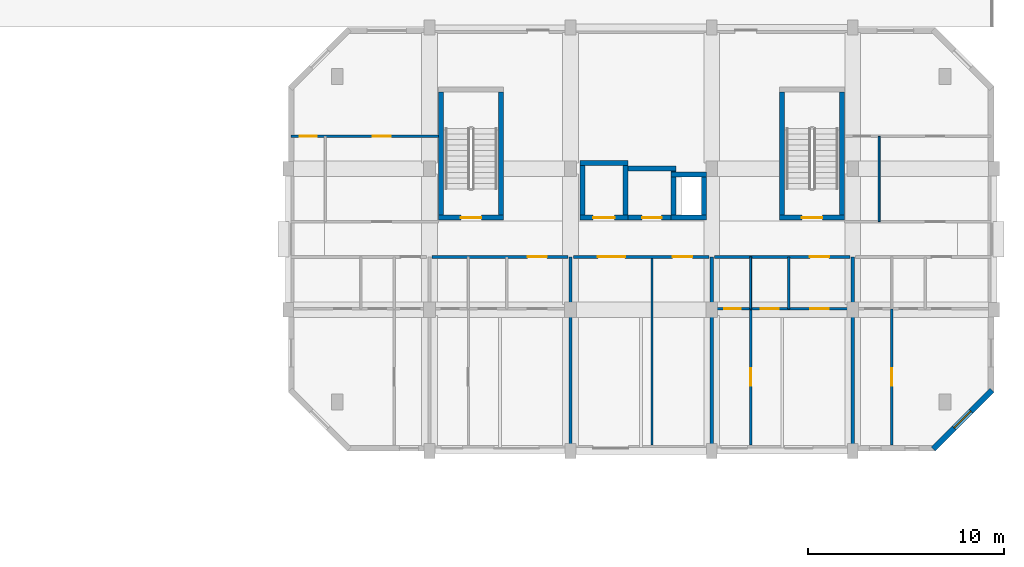
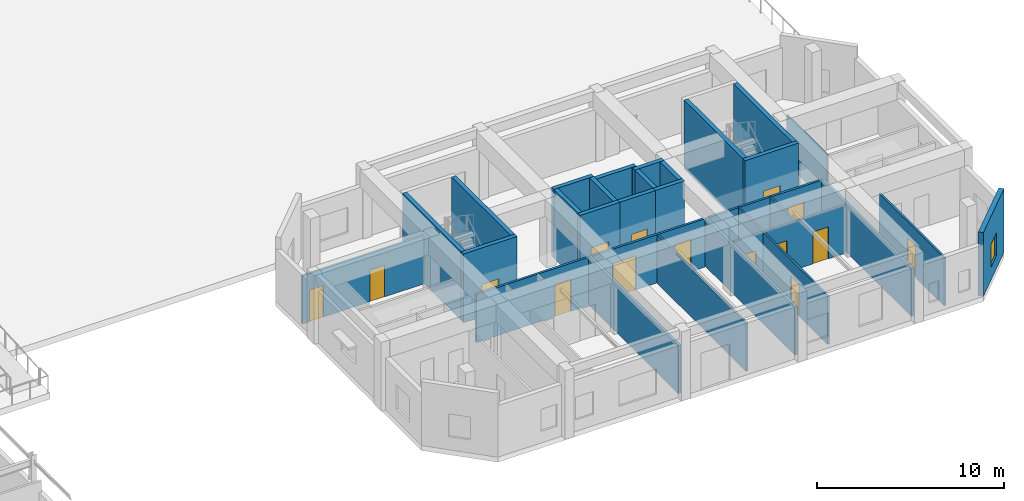
# One storey, part 66 of 85: 31 walls, 15 doors, 1 window, 16 openings.
"""IFC4 building model written with IfcOpenShell, lengths in metres."""

from ifc_helpers import new_model, si_unit, direction, frame, frame_2d, origin, place, context, subcontext, project, spatial, rectangle, extrude, material, layer, layer_set, type_object, element, fill, save


model = new_model("IFC4")

# Units and contexts
model_context = context("Model", 3, precision=1e-05, world=origin(), true_north=direction((0.0, 1.0)))
body_context = subcontext(model_context, "Body", "Model", "MODEL_VIEW")
ifc_project = project(units=[si_unit("LENGTHUNIT", "METRE"), si_unit("AREAUNIT", "SQUARE_METRE"), si_unit("VOLUMEUNIT", "CUBIC_METRE"), si_unit("PLANEANGLEUNIT", "RADIAN"), si_unit("MASSUNIT", "GRAM", prefix="KILO")], contexts=[model_context])

# Site, building, storey
site_placement = place(None, origin())
site = spatial("IfcSite", under=ifc_project, at=site_placement, CompositionType="ELEMENT")
building_placement = place(site_placement, origin())
building = spatial("IfcBuilding", under=site, at=building_placement, Name="Ochrevale Crest", CompositionType="ELEMENT")
storey_placement = place(building_placement, origin())
storey = spatial("IfcBuildingStorey", under=building, at=storey_placement, Name="L00", CompositionType="ELEMENT", Elevation=0.0)

# Wall, opening, door
ifc_material_1 = material(Name="Gypsum plasterboard", Category="gypsum")
ifc_layer_1 = layer(ifc_material_1, 0.139892578125)
ifc_layer_set_1 = layer_set([ifc_layer_1], Name="Gypsum plasterboard")
wall_type_1 = type_object("IfcWallType", Name="WL-COR-140", PredefinedType="PARTITIONING", material=ifc_layer_set_1)
wall_1_placement = place(storey_placement, frame((136.93994140625, 24.300048828125, 0.0), z_axis=(0.0, 0.0, 1.0), x_axis=(1.0, 0.0, 0.0)))
wall_1 = element("IfcWall", 1, at=wall_1_placement, inside=storey, type_object=wall_type_1, Name="Apartment C-L00-U2 corridor wall", PredefinedType="PARTITIONING", context=body_context, shape_type="SweptSolid", body=[
    extrude(rectangle(XDim=6.920166015625, YDim=0.139892578125, at=frame_2d((3.4599609375, 0.0))), origin(), (0.0, 0.0, 1.0), 3.14990234375),
])
opening_1_placement = place(wall_1_placement, frame((4.8701171875, 0.0, 0.0)))
opening_1 = element("IfcOpeningElement", 2, at=opening_1_placement, cuts=wall_1, Name="Opening FD01", PredefinedType="OPENING", context=body_context, shape_type="SweptSolid", body=[
    extrude(rectangle(XDim=0.97998046875, YDim=2.10009765625, at=frame_2d((0.489990234375, 1.050048828125))), frame((0.0, 0.080078125, 0.0), z_axis=(0.0, -1.0, 0.0), x_axis=(1.0, 0.0, 0.0)), (0.0, 0.0, 1.0), 0.159912109375),
])
ifc_material_2 = material(Name="Solid-core FSC hardwood", Category="wood")
door_type_1 = type_object("IfcDoorType", Name="DR-APT-950", OperationType="NOTDEFINED", PredefinedType="DOOR", material=ifc_material_2)
door_1_placement = place(opening_1_placement, origin())
door_1 = element("IfcDoor", 3, at=door_1_placement, inside=storey, type_object=door_type_1, Name="Apartment C-L00-U2 entrance door", OperationType="SINGLE_SWING_LEFT", OverallHeight=2.10009765625, OverallWidth=0.97998046875, PredefinedType="DOOR", context=body_context, shape_type="SweptSolid", body=[
    extrude(rectangle(XDim=0.97998046875, YDim=2.10009765625, at=frame_2d((0.489990234375, 1.050048828125))), frame((0.0, 0.02490234375, 0.0), z_axis=(0.0, -1.0, 0.0), x_axis=(1.0, 0.0, 0.0)), (0.0, 0.0, 1.0), 0.050048828125),
])
fill(opening_1, door_1)

# Wall, openings, doors
wall_2_placement = place(storey_placement, frame((144.139892578125, 24.300048828125, 0.0), z_axis=(0.0, 0.0, 1.0), x_axis=(1.0, 0.0, 0.0)))
wall_2 = element("IfcWall", 4, at=wall_2_placement, inside=storey, type_object=wall_type_1, Name="Block C ground lobby corridor wall", PredefinedType="PARTITIONING", context=body_context, shape_type="SweptSolid", body=[
    extrude(rectangle(XDim=6.920166015625, YDim=0.139892578125, at=frame_2d((3.4599609375, 0.0))), origin(), (0.0, 0.0, 1.0), 3.14990234375),
])
opening_2_placement = place(wall_2_placement, frame((1.25, 0.0, 0.0)))
opening_2 = element("IfcOpeningElement", 5, at=opening_2_placement, cuts=wall_2, Name="Opening ID10", PredefinedType="OPENING", context=body_context, shape_type="SweptSolid", body=[
    extrude(rectangle(XDim=1.39990234375, YDim=2.219970703125, at=frame_2d((0.699951171875, 1.10986328125))), frame((0.0, 0.080078125, 0.0), z_axis=(0.0, -1.0, 0.0), x_axis=(1.0, 0.0, 0.0)), (0.0, 0.0, 1.0), 0.159912109375),
])
opening_3_placement = place(wall_2_placement, frame((6.070068359375, 0.0, 0.0), z_axis=(0.0, 0.0, 1.0), x_axis=(-1.0, 0.0, 0.0)))
opening_3 = element("IfcOpeningElement", 6, at=opening_3_placement, cuts=wall_2, Name="Opening ID07", PredefinedType="OPENING", context=body_context, shape_type="SweptSolid", body=[
    extrude(rectangle(XDim=1.0, YDim=2.1201171875, at=frame_2d((0.5, 1.06005859375))), frame((0.0, 0.080078125, 0.0), z_axis=(0.0, -1.0, 0.0), x_axis=(1.0, 0.0, 0.0)), (0.0, 0.0, 1.0), 0.159912109375),
])
door_type_2 = type_object("IfcDoorType", Name="DR-INT-1000", OperationType="NOTDEFINED", PredefinedType="DOOR", material=ifc_material_2)
door_2_placement = place(opening_3_placement, origin())
door_2 = element("IfcDoor", 7, at=door_2_placement, inside=storey, type_object=door_type_2, Name="Block C mail room door", OperationType="SINGLE_SWING_RIGHT", OverallHeight=2.1201171875, OverallWidth=1.0, PredefinedType="DOOR", context=body_context, shape_type="SweptSolid", body=[
    extrude(rectangle(XDim=1.0, YDim=2.1201171875, at=frame_2d((0.5, 1.06005859375))), frame((0.0, 0.02490234375, 0.0), z_axis=(0.0, -1.0, 0.0), x_axis=(1.0, 0.0, 0.0)), (0.0, 0.0, 1.0), 0.050048828125),
])
fill(opening_3, door_2)
door_type_3 = type_object("IfcDoorType", Name="DR-INT-1400", OperationType="NOTDEFINED", PredefinedType="DOOR", material=ifc_material_2)
door_3_placement = place(opening_2_placement, origin())
door_3 = element("IfcDoor", 8, at=door_3_placement, inside=storey, type_object=door_type_3, Name="Block C entrance lobby inner door", OperationType="DOUBLE_DOOR_SINGLE_SWING", OverallHeight=2.219970703125, OverallWidth=1.39990234375, PredefinedType="DOOR", context=body_context, shape_type="SweptSolid", body=[
    extrude(rectangle(XDim=1.39990234375, YDim=2.219970703125, at=frame_2d((0.699951171875, 1.10986328125))), frame((0.0, 0.02490234375, 0.0), z_axis=(0.0, -1.0, 0.0), x_axis=(1.0, 0.0, 0.0)), (0.0, 0.0, 1.0), 0.050048828125),
])
fill(opening_2, door_3)

# Wall, opening, door
wall_3_placement = place(storey_placement, frame((151.340087890625, 24.300048828125, 0.0), z_axis=(0.0, 0.0, 1.0), x_axis=(1.0, 0.0, 0.0)))
wall_3 = element("IfcWall", 9, at=wall_3_placement, inside=storey, type_object=wall_type_1, Name="Apartment C-L00-U4 corridor wall", PredefinedType="PARTITIONING", context=body_context, shape_type="SweptSolid", body=[
    extrude(rectangle(XDim=6.919921875, YDim=0.139892578125, at=frame_2d((3.4599609375, 0.0))), origin(), (0.0, 0.0, 1.0), 3.14990234375),
])
opening_4_placement = place(wall_3_placement, frame((4.8701171875, 0.0, 0.0)))
opening_4 = element("IfcOpeningElement", 10, at=opening_4_placement, cuts=wall_3, Name="Opening FD01", PredefinedType="OPENING", context=body_context, shape_type="SweptSolid", body=[
    extrude(rectangle(XDim=0.97998046875, YDim=2.10009765625, at=frame_2d((0.489990234375, 1.050048828125))), frame((0.0, 0.080078125, 0.0), z_axis=(0.0, -1.0, 0.0), x_axis=(1.0, 0.0, 0.0)), (0.0, 0.0, 1.0), 0.159912109375),
])
door_4_placement = place(opening_4_placement, origin())
door_4 = element("IfcDoor", 11, at=door_4_placement, inside=storey, type_object=door_type_1, Name="Apartment C-L00-U4 entrance door", OperationType="SINGLE_SWING_LEFT", OverallHeight=2.10009765625, OverallWidth=0.97998046875, PredefinedType="DOOR", context=body_context, shape_type="SweptSolid", body=[
    extrude(rectangle(XDim=0.97998046875, YDim=2.10009765625, at=frame_2d((0.489990234375, 1.050048828125))), frame((0.0, 0.02490234375, 0.0), z_axis=(0.0, -1.0, 0.0), x_axis=(1.0, 0.0, 0.0)), (0.0, 0.0, 1.0), 0.050048828125),
])
fill(opening_4, door_4)

ifc_material_3 = material(Name="Precast concrete C50/60", Category="concrete")
ifc_layer_2 = layer(ifc_material_3, 0.2548828125)
ifc_layer_set_2 = layer_set([ifc_layer_2], Name="Precast concrete C50/60")
wall_type_2 = type_object("IfcWallType", Name="WL-CORE-255", PredefinedType="SHEAR", material=ifc_layer_set_2)
wall_4_placement = place(storey_placement, frame((137.2724609375, 26.300048828125, 0.0), z_axis=(0.0, 0.0, 1.0), x_axis=(1.0, 0.0, 0.0)))
wall_4 = element("IfcWall", 12, at=wall_4_placement, inside=storey, type_object=wall_type_2, Name="Block C L00 Stair 1 precast core shear wall S", PredefinedType="SHEAR", context=body_context, shape_type="SweptSolid", body=[
    extrude(rectangle(XDim=3.304931640625, YDim=0.2548828125, at=frame_2d((1.65234375, 0.0))), origin(), (0.0, 0.0, 1.0), 4.5),
])
opening_5_placement = place(wall_4_placement, frame((2.177490234375, 0.0, 0.0), z_axis=(0.0, 0.0, 1.0), x_axis=(-1.0, 0.0, 0.0)))
opening_5 = element("IfcOpeningElement", 13, at=opening_5_placement, cuts=wall_4, Name="Opening FD03", PredefinedType="OPENING", context=body_context, shape_type="SweptSolid", body=[
    extrude(rectangle(XDim=1.050048828125, YDim=2.1201171875, at=frame_2d((0.52490234375, 1.06005859375))), frame((0.0, 0.137451171875, 0.0), z_axis=(0.0, -1.0, 0.0), x_axis=(1.0, 0.0, 0.0)), (0.0, 0.0, 1.0), 0.27490234375),
])
door_type_4 = type_object("IfcDoorType", Name="DR-ST-1050", OperationType="NOTDEFINED", PredefinedType="DOOR", material=ifc_material_2)
door_5_placement = place(opening_5_placement, origin())
door_5 = element("IfcDoor", 14, at=door_5_placement, inside=storey, type_object=door_type_4, Name="Block C L00 fire stair 1 door", OperationType="SINGLE_SWING_RIGHT", OverallHeight=2.1201171875, OverallWidth=1.050048828125, PredefinedType="DOOR", context=body_context, shape_type="SweptSolid", body=[
    extrude(rectangle(XDim=1.050048828125, YDim=2.1201171875, at=frame_2d((0.52490234375, 1.06005859375))), frame((0.0, 0.02490234375, 0.0), z_axis=(0.0, -1.0, 0.0), x_axis=(1.0, 0.0, 0.0)), (0.0, 0.0, 1.0), 0.050048828125),
])
fill(opening_5, door_5)

# Walls
for number, where, z_axis, x_axis, name in (
    (15, (137.39990234375, 26.427490234375, 0.0), (0.0, 0.0, 1.0), (0.0, 1.0, 0.0), "Block C L00 Stair 1 precast core shear wall W"),
    (16, (140.449951171875, 26.427490234375, 0.0), (0.0, 0.0, 1.0), (0.0, 1.0, 0.0), "Block C L00 Stair 1 precast core shear wall E"),
):
    element("IfcWall", number, at=place(storey_placement, frame(where, z_axis=z_axis, x_axis=x_axis)), inside=storey, type_object=wall_type_2, Name=name, PredefinedType="SHEAR", context=body_context, shape_type="SweptSolid", body=[
        extrude(rectangle(XDim=6.294921875, YDim=0.2548828125, at=frame_2d((3.1474609375, 0.0))), origin(), (0.0, 0.0, 1.0), 4.5),
    ])

# Wall, opening, door
wall_5_placement = place(storey_placement, frame((154.672607421875, 26.300048828125, 0.0), z_axis=(0.0, 0.0, 1.0), x_axis=(1.0, 0.0, 0.0)))
wall_5 = element("IfcWall", 17, at=wall_5_placement, inside=storey, type_object=wall_type_2, Name="Block C L00 Stair 2 precast core shear wall S", PredefinedType="SHEAR", context=body_context, shape_type="SweptSolid", body=[
    extrude(rectangle(XDim=3.304931640625, YDim=0.2548828125, at=frame_2d((1.65234375, 0.0))), origin(), (0.0, 0.0, 1.0), 4.5),
])
opening_6_placement = place(wall_5_placement, frame((1.12744140625, 0.0, 0.0)))
opening_6 = element("IfcOpeningElement", 18, at=opening_6_placement, cuts=wall_5, Name="Opening FD03", PredefinedType="OPENING", context=body_context, shape_type="SweptSolid", body=[
    extrude(rectangle(XDim=1.050048828125, YDim=2.1201171875, at=frame_2d((0.52490234375, 1.06005859375))), frame((0.0, 0.137451171875, 0.0), z_axis=(0.0, -1.0, 0.0), x_axis=(1.0, 0.0, 0.0)), (0.0, 0.0, 1.0), 0.27490234375),
])
door_6_placement = place(opening_6_placement, origin())
door_6 = element("IfcDoor", 19, at=door_6_placement, inside=storey, type_object=door_type_4, Name="Block C L00 fire stair 2 door", OperationType="SINGLE_SWING_LEFT", OverallHeight=2.1201171875, OverallWidth=1.050048828125, PredefinedType="DOOR", context=body_context, shape_type="SweptSolid", body=[
    extrude(rectangle(XDim=1.050048828125, YDim=2.1201171875, at=frame_2d((0.52490234375, 1.06005859375))), frame((0.0, 0.02490234375, 0.0), z_axis=(0.0, -1.0, 0.0), x_axis=(1.0, 0.0, 0.0)), (0.0, 0.0, 1.0), 0.050048828125),
])
fill(opening_6, door_6)

# Walls
for number, where, z_axis, x_axis, name in (
    (20, (154.800048828125, 26.427490234375, 0.0), (0.0, 0.0, 1.0), (0.0, 1.0, 0.0), "Block C L00 Stair 2 precast core shear wall W"),
    (21, (157.85009765625, 26.427490234375, 0.0), (0.0, 0.0, 1.0), (0.0, 1.0, 0.0), "Block C L00 Stair 2 precast core shear wall E"),
):
    element("IfcWall", number, at=place(storey_placement, frame(where, z_axis=z_axis, x_axis=x_axis)), inside=storey, type_object=wall_type_2, Name=name, PredefinedType="SHEAR", context=body_context, shape_type="SweptSolid", body=[
        extrude(rectangle(XDim=6.294921875, YDim=0.2548828125, at=frame_2d((3.1474609375, 0.0))), origin(), (0.0, 0.0, 1.0), 4.5),
    ])

# Wall, opening, door
wall_6_placement = place(storey_placement, frame((144.472412109375, 26.300048828125, 0.0), z_axis=(0.0, 0.0, 1.0), x_axis=(1.0, 0.0, 0.0)))
wall_6 = element("IfcWall", 22, at=wall_6_placement, inside=storey, type_object=wall_type_2, Name="Block C L00 Lift 1 precast shaft shear wall S", PredefinedType="SHEAR", context=body_context, shape_type="SweptSolid", body=[
    extrude(rectangle(XDim=2.455078125, YDim=0.2548828125, at=frame_2d((1.2275390625, 0.0))), origin(), (0.0, 0.0, 1.0), 4.5),
])
opening_7_placement = place(wall_6_placement, frame((0.677490234375, 0.0, 0.0)))
opening_7 = element("IfcOpeningElement", 23, at=opening_7_placement, cuts=wall_6, Name="Opening LD01", PredefinedType="OPENING", context=body_context, shape_type="SweptSolid", body=[
    extrude(rectangle(XDim=1.10009765625, YDim=2.14990234375, at=frame_2d((0.550048828125, 1.074951171875))), frame((0.0, 0.137451171875, 0.0), z_axis=(0.0, -1.0, 0.0), x_axis=(1.0, 0.0, 0.0)), (0.0, 0.0, 1.0), 0.27490234375),
])
door_type_5 = type_object("IfcDoorType", Name="DR-LIFT-1100", OperationType="NOTDEFINED", PredefinedType="DOOR", material=ifc_material_2)
door_7_placement = place(opening_7_placement, origin())
door_7 = element("IfcDoor", 24, at=door_7_placement, inside=storey, type_object=door_type_5, Name="Lift LF-C1 L00 sliding landing door", OperationType="SLIDING_TO_LEFT", OverallHeight=2.14990234375, OverallWidth=1.10009765625, PredefinedType="DOOR", context=body_context, shape_type="SweptSolid", body=[
    extrude(rectangle(XDim=1.10009765625, YDim=2.14990234375, at=frame_2d((0.550048828125, 1.074951171875))), frame((0.0, 0.02490234375, 0.0), z_axis=(0.0, -1.0, 0.0), x_axis=(1.0, 0.0, 0.0)), (0.0, 0.0, 1.0), 0.050048828125),
])
fill(opening_7, door_7)

# Walls
wall_7_placement = place(storey_placement, frame((144.472412109375, 29.10009765625, 0.0), z_axis=(0.0, 0.0, 1.0), x_axis=(1.0, 0.0, 0.0)))
element("IfcWall", 25, at=wall_7_placement, inside=storey, type_object=wall_type_2, Name="Block C L00 Lift 1 precast shaft shear wall N", PredefinedType="SHEAR", context=body_context, shape_type="SweptSolid", body=[
    extrude(rectangle(XDim=2.455078125, YDim=0.2548828125, at=frame_2d((1.2275390625, 0.0))), origin(), (0.0, 0.0, 1.0), 4.5),
])
for number, where, z_axis, x_axis, name in (
    (26, (144.60009765625, 26.427490234375, 0.0), (0.0, 0.0, 1.0), (0.0, 1.0, 0.0), "Block C L00 Lift 1 precast shaft shear wall W"),
    (27, (146.800048828125, 26.427490234375, 0.0), (0.0, 0.0, 1.0), (0.0, 1.0, 0.0), "Block C L00 Lift 1 precast shaft shear wall E"),
):
    element("IfcWall", number, at=place(storey_placement, frame(where, z_axis=z_axis, x_axis=x_axis)), inside=storey, type_object=wall_type_2, Name=name, PredefinedType="SHEAR", context=body_context, shape_type="SweptSolid", body=[
        extrude(rectangle(XDim=2.544921875, YDim=0.2548828125, at=frame_2d((1.2724609375, 0.0))), origin(), (0.0, 0.0, 1.0), 4.5),
    ])

# Wall, opening, door
wall_8_placement = place(storey_placement, frame((146.922607421875, 26.300048828125, 0.0), z_axis=(0.0, 0.0, 1.0), x_axis=(1.0, 0.0, 0.0)))
wall_8 = element("IfcWall", 28, at=wall_8_placement, inside=storey, type_object=wall_type_2, Name="Block C L00 Lift 2 precast shaft shear wall S", PredefinedType="SHEAR", context=body_context, shape_type="SweptSolid", body=[
    extrude(rectangle(XDim=2.454833984375, YDim=0.2548828125, at=frame_2d((1.2275390625, 0.0))), origin(), (0.0, 0.0, 1.0), 4.5),
])
opening_8_placement = place(wall_8_placement, frame((0.7275390625, 0.0, 0.0)))
opening_8 = element("IfcOpeningElement", 29, at=opening_8_placement, cuts=wall_8, Name="Opening LD02", PredefinedType="OPENING", context=body_context, shape_type="SweptSolid", body=[
    extrude(rectangle(XDim=1.0, YDim=2.14990234375, at=frame_2d((0.5, 1.074951171875))), frame((0.0, 0.137451171875, 0.0), z_axis=(0.0, -1.0, 0.0), x_axis=(1.0, 0.0, 0.0)), (0.0, 0.0, 1.0), 0.27490234375),
])
door_type_6 = type_object("IfcDoorType", Name="DR-LIFT-1000", OperationType="NOTDEFINED", PredefinedType="DOOR", material=ifc_material_2)
door_8_placement = place(opening_8_placement, origin())
door_8 = element("IfcDoor", 30, at=door_8_placement, inside=storey, type_object=door_type_6, Name="Lift LP-C2 L00 sliding landing door", OperationType="SLIDING_TO_RIGHT", OverallHeight=2.14990234375, OverallWidth=1.0, PredefinedType="DOOR", context=body_context, shape_type="SweptSolid", body=[
    extrude(rectangle(XDim=1.0, YDim=2.14990234375, at=frame_2d((0.5, 1.074951171875))), frame((0.0, 0.02490234375, 0.0), z_axis=(0.0, -1.0, 0.0), x_axis=(1.0, 0.0, 0.0)), (0.0, 0.0, 1.0), 0.050048828125),
])
fill(opening_8, door_8)

# Walls
wall_9_placement = place(storey_placement, frame((146.922607421875, 28.800048828125, 0.0), z_axis=(0.0, 0.0, 1.0), x_axis=(1.0, 0.0, 0.0)))
element("IfcWall", 31, at=wall_9_placement, inside=storey, type_object=wall_type_2, Name="Block C L00 Lift 2 precast shaft shear wall N", PredefinedType="SHEAR", context=body_context, shape_type="SweptSolid", body=[
    extrude(rectangle(XDim=2.454833984375, YDim=0.2548828125, at=frame_2d((1.2275390625, 0.0))), origin(), (0.0, 0.0, 1.0), 4.5),
])
wall_10_placement = place(storey_placement, frame((149.25, 26.427490234375, 0.0), z_axis=(0.0, 0.0, 1.0), x_axis=(0.0, 1.0, 0.0)))
element("IfcWall", 32, at=wall_10_placement, inside=storey, type_object=wall_type_2, Name="Block C L00 Lift 2 precast shaft shear wall E", PredefinedType="SHEAR", context=body_context, shape_type="SweptSolid", body=[
    extrude(rectangle(XDim=2.2451171875, YDim=0.2548828125, at=frame_2d((1.12255859375, 0.0))), origin(), (0.0, 0.0, 1.0), 4.5),
])
for number, where, z_axis, x_axis, name in (
    (33, (149.12255859375, 26.300048828125, 0.0), (0.0, 0.0, 1.0), (1.0, 0.0, 0.0), "Block C L00 services riser shaft core wall S"),
    (34, (149.12255859375, 28.5, 0.0), (0.0, 0.0, 1.0), (1.0, 0.0, 0.0), "Block C L00 services riser shaft core wall N"),
):
    element("IfcWall", number, at=place(storey_placement, frame(where, z_axis=z_axis, x_axis=x_axis)), inside=storey, type_object=wall_type_2, Name=name, PredefinedType="SHEAR", context=body_context, shape_type="SweptSolid", body=[
        extrude(rectangle(XDim=1.804931640625, YDim=0.2548828125, at=frame_2d((0.90234375, 0.0))), origin(), (0.0, 0.0, 1.0), 4.5),
    ])
wall_11_placement = place(storey_placement, frame((150.800048828125, 26.427490234375, 0.0), z_axis=(0.0, 0.0, 1.0), x_axis=(0.0, 1.0, 0.0)))
element("IfcWall", 35, at=wall_11_placement, inside=storey, type_object=wall_type_2, Name="Block C L00 services riser shaft core wall E", PredefinedType="SHEAR", context=body_context, shape_type="SweptSolid", body=[
    extrude(rectangle(XDim=1.945068359375, YDim=0.2548828125, at=frame_2d((0.97265625, 0.0))), origin(), (0.0, 0.0, 1.0), 4.5),
])

# Wall, opening, window
ifc_material_4 = material(Name="Clay face brickwork", Category="masonry")
ifc_layer_3 = layer(ifc_material_4, 0.2900390625)
ifc_layer_set_3 = layer_set([ifc_layer_3], Name="Clay face brickwork")
wall_type_3 = type_object("IfcWallType", Name="WL-EXT-BRICK-290", PredefinedType="SOLIDWALL", material=ifc_layer_set_3)
wall_12_placement = place(storey_placement, frame((162.49755859375, 14.50244140625, 0.0), z_axis=(0.0, 0.0, 1.0), x_axis=(0.707106781187, 0.707106781187, 0.0)))
wall_12 = element("IfcWall", 36, at=wall_12_placement, inside=storey, type_object=wall_type_3, Name="Block C L00 external facade wall E2", PredefinedType="SOLIDWALL", context=body_context, shape_type="SweptSolid", body=[
    extrude(rectangle(XDim=4.24267578125, YDim=0.2900390625, at=frame_2d((2.121337890625, 0.0))), origin(), (0.0, 0.0, 1.0), 4.175048828125),
])
opening_9_placement = place(wall_12_placement, frame((1.51123046875, 0.0, 0.85009765625)))
opening_9 = element("IfcOpeningElement", 37, at=opening_9_placement, cuts=wall_12, Name="Opening W06", PredefinedType="OPENING", context=body_context, shape_type="SweptSolid", body=[
    extrude(rectangle(XDim=1.219970703125, YDim=1.5, at=frame_2d((0.60986328125, 0.75))), frame((0.0, 0.155029296875, 0.0), z_axis=(0.0, -1.0, 0.0), x_axis=(1.0, 0.0, 0.0)), (0.0, 0.0, 1.0), 0.31005859375),
])
ifc_material_5 = material(Name="Anodised aluminium 6063-T5 and low-E double glazing", Category="aluminium")
window_type = type_object("IfcWindowType", Name="WIN-W06", PartitioningType="SINGLE_PANEL", PredefinedType="WINDOW", material=ifc_material_5)
window_placement = place(opening_9_placement, origin())
window = element("IfcWindow", 38, at=window_placement, inside=storey, type_object=window_type, Name="Block C L00 corner room casement window 2", OverallHeight=1.5, OverallWidth=1.219970703125, PartitioningType="SINGLE_PANEL", PredefinedType="WINDOW", context=body_context, shape_type="SweptSolid", body=[
    extrude(rectangle(XDim=1.219970703125, YDim=1.5, at=frame_2d((0.60986328125, 0.75))), frame((0.0, 0.030029296875, 0.0), z_axis=(0.0, -1.0, 0.0), x_axis=(1.0, 0.0, 0.0)), (0.0, 0.0, 1.0), 0.06005859375),
])
fill(opening_9, window)

# Walls
ifc_layer_4 = layer(ifc_material_1, 0.1201171875)
ifc_layer_set_4 = layer_set([ifc_layer_4], Name="Gypsum plasterboard")
wall_type_4 = type_object("IfcWallType", Name="WL-PART-120", PredefinedType="PARTITIONING", material=ifc_layer_set_4)
wall_13_placement = place(storey_placement, frame((148.153564453125, 14.699951171875, 0.0), z_axis=(0.0, 0.0, 1.0), x_axis=(0.0, 1.0, 0.0)))
element("IfcWall", 39, at=wall_13_placement, inside=storey, type_object=wall_type_4, Name="Block C lobby-mail divider", PredefinedType="PARTITIONING", context=body_context, shape_type="SweptSolid", body=[
    extrude(rectangle(XDim=9.60009765625, YDim=0.1201171875, at=frame_2d((4.800048828125, 0.0))), origin(), (0.0, 0.0, 1.0), 3.14990234375),
])
wall_14_placement = place(storey_placement, frame((155.139892578125, 21.64990234375, 0.0), z_axis=(0.0, 0.0, 1.0), x_axis=(0.0, 1.0, 0.0)))
element("IfcWall", 40, at=wall_14_placement, inside=storey, type_object=wall_type_4, Name="Apartment C-L00-U4 kitchen-foyer wall", PredefinedType="PARTITIONING", context=body_context, shape_type="SweptSolid", body=[
    extrude(rectangle(XDim=2.650146484375, YDim=0.1201171875, at=frame_2d((1.3251953125, 0.0))), origin(), (0.0, 0.0, 1.0), 3.14990234375),
])

# Wall, openings, doors
wall_15_placement = place(storey_placement, frame((151.340087890625, 21.64990234375, 0.0), z_axis=(0.0, 0.0, 1.0), x_axis=(1.0, 0.0, 0.0)))
wall_15 = element("IfcWall", 41, at=wall_15_placement, inside=storey, type_object=wall_type_4, Name="Apartment C-L00-U4 central partition", PredefinedType="PARTITIONING", context=body_context, shape_type="SweptSolid", body=[
    extrude(rectangle(XDim=6.919921875, YDim=0.1201171875, at=frame_2d((3.4599609375, 0.0))), origin(), (0.0, 0.0, 1.0), 3.14990234375),
])
opening_10_placement = place(wall_15_placement, frame((1.35009765625, 0.0, 0.0), z_axis=(0.0, 0.0, 1.0), x_axis=(-1.0, 0.0, 0.0)))
opening_10 = element("IfcOpeningElement", 42, at=opening_10_placement, cuts=wall_15, Name="Opening ID01", PredefinedType="OPENING", context=body_context, shape_type="SweptSolid", body=[
    extrude(rectangle(XDim=0.85009765625, YDim=2.080078125, at=frame_2d((0.425048828125, 1.0400390625))), frame((0.0, 0.070068359375, 0.0), z_axis=(0.0, -1.0, 0.0), x_axis=(1.0, 0.0, 0.0)), (0.0, 0.0, 1.0), 0.14013671875),
])
opening_11_placement = place(wall_15_placement, frame((2.375, 0.0, 0.0)))
opening_11 = element("IfcOpeningElement", 43, at=opening_11_placement, cuts=wall_15, Name="Opening ID02", PredefinedType="OPENING", context=body_context, shape_type="SweptSolid", body=[
    extrude(rectangle(XDim=0.89990234375, YDim=2.080078125, at=frame_2d((0.449951171875, 1.0400390625))), frame((0.0, 0.070068359375, 0.0), z_axis=(0.0, -1.0, 0.0), x_axis=(1.0, 0.0, 0.0)), (0.0, 0.0, 1.0), 0.14013671875),
])
opening_12_placement = place(wall_15_placement, frame((5.8349609375, 0.0, 0.0), z_axis=(0.0, 0.0, 1.0), x_axis=(-1.0, 0.0, 0.0)))
opening_12 = element("IfcOpeningElement", 44, at=opening_12_placement, cuts=wall_15, Name="Opening ID06", PredefinedType="OPENING", context=body_context, shape_type="SweptSolid", body=[
    extrude(rectangle(XDim=0.949951171875, YDim=2.080078125, at=frame_2d((0.47509765625, 1.0400390625))), frame((0.0, 0.070068359375, 0.0), z_axis=(0.0, -1.0, 0.0), x_axis=(1.0, 0.0, 0.0)), (0.0, 0.0, 1.0), 0.14013671875),
])
door_type_7 = type_object("IfcDoorType", Name="DR-INT-900", OperationType="NOTDEFINED", PredefinedType="DOOR", material=ifc_material_2)
door_9_placement = place(opening_11_placement, origin())
door_9 = element("IfcDoor", 45, at=door_9_placement, inside=storey, type_object=door_type_7, Name="Apartment C-L00-U4 Kitchen door", OperationType="SINGLE_SWING_LEFT", OverallHeight=2.080078125, OverallWidth=0.89990234375, PredefinedType="DOOR", context=body_context, shape_type="SweptSolid", body=[
    extrude(rectangle(XDim=0.89990234375, YDim=2.080078125, at=frame_2d((0.449951171875, 1.0400390625))), frame((0.0, 0.02490234375, 0.0), z_axis=(0.0, -1.0, 0.0), x_axis=(1.0, 0.0, 0.0)), (0.0, 0.0, 1.0), 0.050048828125),
])
fill(opening_11, door_9)
door_type_8 = type_object("IfcDoorType", Name="DR-INT-950", OperationType="NOTDEFINED", PredefinedType="DOOR", material=ifc_material_2)
door_10_placement = place(opening_12_placement, origin())
door_10 = element("IfcDoor", 46, at=door_10_placement, inside=storey, type_object=door_type_8, Name="Apartment C-L00-U4 Living Foyer door", OperationType="SINGLE_SWING_RIGHT", OverallHeight=2.080078125, OverallWidth=0.949951171875, PredefinedType="DOOR", context=body_context, shape_type="SweptSolid", body=[
    extrude(rectangle(XDim=0.949951171875, YDim=2.080078125, at=frame_2d((0.47509765625, 1.0400390625))), frame((0.0, 0.02490234375, 0.0), z_axis=(0.0, -1.0, 0.0), x_axis=(1.0, 0.0, 0.0)), (0.0, 0.0, 1.0), 0.050048828125),
])
fill(opening_12, door_10)
door_type_9 = type_object("IfcDoorType", Name="DR-WC-850", OperationType="NOTDEFINED", PredefinedType="DOOR", material=ifc_material_2)
door_11_placement = place(opening_10_placement, origin())
door_11 = element("IfcDoor", 47, at=door_11_placement, inside=storey, type_object=door_type_9, Name="Apartment C-L00-U4 Bathroom door", OperationType="SINGLE_SWING_RIGHT", OverallHeight=2.080078125, OverallWidth=0.85009765625, PredefinedType="DOOR", context=body_context, shape_type="SweptSolid", body=[
    extrude(rectangle(XDim=0.85009765625, YDim=2.080078125, at=frame_2d((0.425048828125, 1.0400390625))), frame((0.0, 0.02490234375, 0.0), z_axis=(0.0, -1.0, 0.0), x_axis=(1.0, 0.0, 0.0)), (0.0, 0.0, 1.0), 0.050048828125),
])
fill(opening_10, door_11)

# Wall, opening, door
wall_16_placement = place(storey_placement, frame((153.18994140625, 14.699951171875, 0.0), z_axis=(0.0, 0.0, 1.0), x_axis=(0.0, 1.0, 0.0)))
wall_16 = element("IfcWall", 48, at=wall_16_placement, inside=storey, type_object=wall_type_4, Name="Apartment C-L00-U4 bedroom partition", PredefinedType="PARTITIONING", context=body_context, shape_type="SweptSolid", body=[
    extrude(rectangle(XDim=6.949951171875, YDim=0.1201171875, at=frame_2d((3.47509765625, 0.0))), origin(), (0.0, 0.0, 1.0), 3.14990234375),
])
opening_13_placement = place(wall_16_placement, frame((3.02490234375, 0.0, 0.0)))
opening_13 = element("IfcOpeningElement", 49, at=opening_13_placement, cuts=wall_16, Name="Opening ID02", PredefinedType="OPENING", context=body_context, shape_type="SweptSolid", body=[
    extrude(rectangle(XDim=0.89990234375, YDim=2.080078125, at=frame_2d((0.449951171875, 1.0400390625))), frame((0.0, 0.070068359375, 0.0), z_axis=(0.0, -1.0, 0.0), x_axis=(1.0, 0.0, 0.0)), (0.0, 0.0, 1.0), 0.14013671875),
])
door_12_placement = place(opening_13_placement, origin())
door_12 = element("IfcDoor", 50, at=door_12_placement, inside=storey, type_object=door_type_7, Name="Apartment C-L00-U4 Double Bedroom door", OperationType="SINGLE_SWING_LEFT", OverallHeight=2.080078125, OverallWidth=0.89990234375, PredefinedType="DOOR", context=body_context, shape_type="SweptSolid", body=[
    extrude(rectangle(XDim=0.89990234375, YDim=2.080078125, at=frame_2d((0.449951171875, 1.0400390625))), frame((0.0, 0.02490234375, 0.0), z_axis=(0.0, -1.0, 0.0), x_axis=(1.0, 0.0, 0.0)), (0.0, 0.0, 1.0), 0.050048828125),
])
fill(opening_13, door_12)

wall_17_placement = place(storey_placement, frame((160.389892578125, 14.699951171875, 0.0), z_axis=(0.0, 0.0, 1.0), x_axis=(0.0, 1.0, 0.0)))
wall_17 = element("IfcWall", 51, at=wall_17_placement, inside=storey, type_object=wall_type_4, Name="Apartment C-L00-U5 bedroom partition", PredefinedType="PARTITIONING", context=body_context, shape_type="SweptSolid", body=[
    extrude(rectangle(XDim=6.949951171875, YDim=0.1201171875, at=frame_2d((3.47509765625, 0.0))), origin(), (0.0, 0.0, 1.0), 3.14990234375),
])
opening_14_placement = place(wall_17_placement, frame((3.02490234375, 0.0, 0.0)))
opening_14 = element("IfcOpeningElement", 52, at=opening_14_placement, cuts=wall_17, Name="Opening ID02", PredefinedType="OPENING", context=body_context, shape_type="SweptSolid", body=[
    extrude(rectangle(XDim=0.89990234375, YDim=2.080078125, at=frame_2d((0.449951171875, 1.0400390625))), frame((0.0, 0.070068359375, 0.0), z_axis=(0.0, -1.0, 0.0), x_axis=(1.0, 0.0, 0.0)), (0.0, 0.0, 1.0), 0.14013671875),
])
door_13_placement = place(opening_14_placement, origin())
door_13 = element("IfcDoor", 53, at=door_13_placement, inside=storey, type_object=door_type_7, Name="Apartment C-L00-U5 Master Bedroom door", OperationType="SINGLE_SWING_RIGHT", OverallHeight=2.080078125, OverallWidth=0.89990234375, PredefinedType="DOOR", context=body_context, shape_type="SweptSolid", body=[
    extrude(rectangle(XDim=0.89990234375, YDim=2.080078125, at=frame_2d((0.449951171875, 1.0400390625))), frame((0.0, 0.02490234375, 0.0), z_axis=(0.0, -1.0, 0.0), x_axis=(1.0, 0.0, 0.0)), (0.0, 0.0, 1.0), 0.050048828125),
])
fill(opening_14, door_13)

# Wall, openings, doors
wall_18_placement = place(storey_placement, frame((129.739990234375, 30.449951171875, 0.0), z_axis=(0.0, 0.0, 1.0), x_axis=(1.0, 0.0, 0.0)))
wall_18 = element("IfcWall", 54, at=wall_18_placement, inside=storey, type_object=wall_type_4, Name="Suite C-L00-CW internal wall", PredefinedType="PARTITIONING", context=body_context, shape_type="SweptSolid", body=[
    extrude(rectangle(XDim=7.52001953125, YDim=0.1201171875, at=frame_2d((3.760009765625, 0.0))), origin(), (0.0, 0.0, 1.0), 3.14990234375),
])
opening_15_placement = place(wall_18_placement, frame((1.300048828125, 0.0, 0.0), z_axis=(0.0, 0.0, 1.0), x_axis=(-1.0, 0.0, 0.0)))
opening_15 = element("IfcOpeningElement", 55, at=opening_15_placement, cuts=wall_18, Name="Opening ID01", PredefinedType="OPENING", context=body_context, shape_type="SweptSolid", body=[
    extrude(rectangle(XDim=0.85009765625, YDim=2.080078125, at=frame_2d((0.425048828125, 1.0400390625))), frame((0.0, 0.070068359375, 0.0), z_axis=(0.0, -1.0, 0.0), x_axis=(1.0, 0.0, 0.0)), (0.0, 0.0, 1.0), 0.14013671875),
])
opening_16_placement = place(wall_18_placement, frame((4.175048828125, 0.0, 0.0)))
opening_16 = element("IfcOpeningElement", 56, at=opening_16_placement, cuts=wall_18, Name="Opening ID04", PredefinedType="OPENING", context=body_context, shape_type="SweptSolid", body=[
    extrude(rectangle(XDim=0.919921875, YDim=2.080078125, at=frame_2d((0.4599609375, 1.0400390625))), frame((0.0, 0.070068359375, 0.0), z_axis=(0.0, -1.0, 0.0), x_axis=(1.0, 0.0, 0.0)), (0.0, 0.0, 1.0), 0.14013671875),
])
door_type_10 = type_object("IfcDoorType", Name="DR-INT-920", OperationType="NOTDEFINED", PredefinedType="DOOR", material=ifc_material_2)
door_14_placement = place(opening_16_placement, origin())
door_14 = element("IfcDoor", 57, at=door_14_placement, inside=storey, type_object=door_type_10, Name="Suite C-L00-CW Garden Alcove Studio door", OperationType="SINGLE_SWING_LEFT", OverallHeight=2.080078125, OverallWidth=0.919921875, PredefinedType="DOOR", context=body_context, shape_type="SweptSolid", body=[
    extrude(rectangle(XDim=0.919921875, YDim=2.080078125, at=frame_2d((0.4599609375, 1.0400390625))), frame((0.0, 0.02490234375, 0.0), z_axis=(0.0, -1.0, 0.0), x_axis=(1.0, 0.0, 0.0)), (0.0, 0.0, 1.0), 0.050048828125),
])
fill(opening_16, door_14)
door_15_placement = place(opening_15_placement, origin())
door_15 = element("IfcDoor", 58, at=door_15_placement, inside=storey, type_object=door_type_9, Name="Suite C-L00-CW Bathroom door", OperationType="SINGLE_SWING_RIGHT", OverallHeight=2.080078125, OverallWidth=0.85009765625, PredefinedType="DOOR", context=body_context, shape_type="SweptSolid", body=[
    extrude(rectangle(XDim=0.85009765625, YDim=2.080078125, at=frame_2d((0.425048828125, 1.0400390625))), frame((0.0, 0.02490234375, 0.0), z_axis=(0.0, -1.0, 0.0), x_axis=(1.0, 0.0, 0.0)), (0.0, 0.0, 1.0), 0.050048828125),
])
fill(opening_15, door_15)

# Walls
ifc_layer_5 = layer(ifc_material_1, 0.169921875)
ifc_layer_set_5 = layer_set([ifc_layer_5], Name="Gypsum plasterboard")
wall_type_5 = type_object("IfcWallType", Name="WL-TEN-170", PredefinedType="PARTITIONING", material=ifc_layer_set_5)
for number, where, z_axis, x_axis, name in (
    (59, (144.0, 14.699951171875, 0.0), (0.0, 0.0, 1.0), (0.0, 1.0, 0.0), "Block C L00 inter-tenancy wall 2"),
    (60, (151.199951171875, 14.699951171875, 0.0), (0.0, 0.0, 1.0), (0.0, 1.0, 0.0), "Block C L00 inter-tenancy wall 3"),
    (61, (158.39990234375, 14.699951171875, 0.0), (0.0, 0.0, 1.0), (0.0, 1.0, 0.0), "Block C L00 inter-tenancy wall 4"),
):
    element("IfcWall", number, at=place(storey_placement, frame(where, z_axis=z_axis, x_axis=x_axis)), inside=storey, type_object=wall_type_5, Name=name, PredefinedType="PARTITIONING", context=body_context, shape_type="SweptSolid", body=[
        extrude(rectangle(XDim=9.60009765625, YDim=0.169921875, at=frame_2d((4.800048828125, 0.0))), origin(), (0.0, 0.0, 1.0), 3.14990234375),
    ])
ifc_layer_6 = layer(ifc_material_1, 0.10009765625)
ifc_layer_set_6 = layer_set([ifc_layer_6], Name="Gypsum plasterboard")
wall_type_6 = type_object("IfcWallType", Name="WL-WET-100", PredefinedType="PARTITIONING", material=ifc_layer_set_6)
wall_19_placement = place(storey_placement, frame((153.18994140625, 21.64990234375, 0.0), z_axis=(0.0, 0.0, 1.0), x_axis=(0.0, 1.0, 0.0)))
element("IfcWall", 62, at=wall_19_placement, inside=storey, type_object=wall_type_6, Name="Apartment C-L00-U4 bath-kitchen wall", PredefinedType="PARTITIONING", context=body_context, shape_type="SweptSolid", body=[
    extrude(rectangle(XDim=2.650146484375, YDim=0.10009765625, at=frame_2d((1.3251953125, 0.0))), origin(), (0.0, 0.0, 1.0), 3.14990234375),
])
wall_20_placement = place(storey_placement, frame((159.739990234375, 26.10009765625, 0.0), z_axis=(0.0, 0.0, 1.0), x_axis=(0.0, 1.0, 0.0)))
element("IfcWall", 63, at=wall_20_placement, inside=storey, type_object=wall_type_6, Name="Suite C-L00-CE bathroom divider", PredefinedType="PARTITIONING", context=body_context, shape_type="SweptSolid", body=[
    extrude(rectangle(XDim=4.349853515625, YDim=0.10009765625, at=frame_2d((2.1748046875, 0.0))), origin(), (0.0, 0.0, 1.0), 3.14990234375),
])

save(model, "model.ifc")
